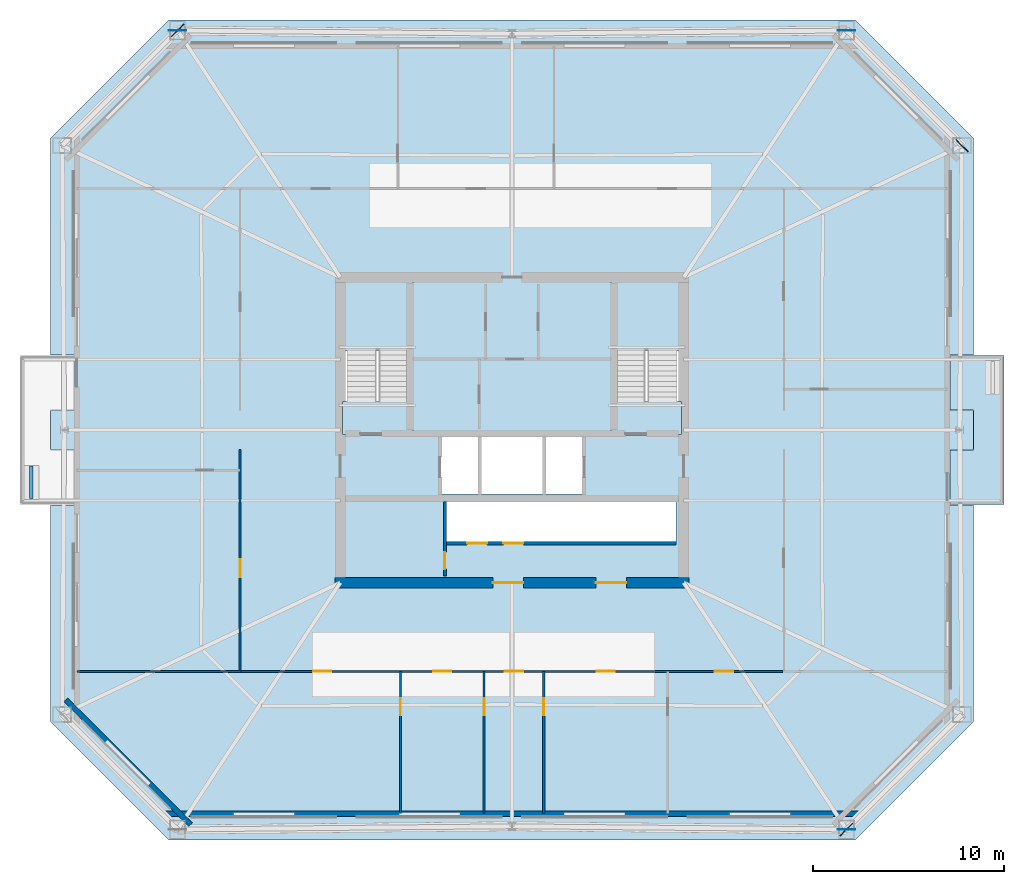
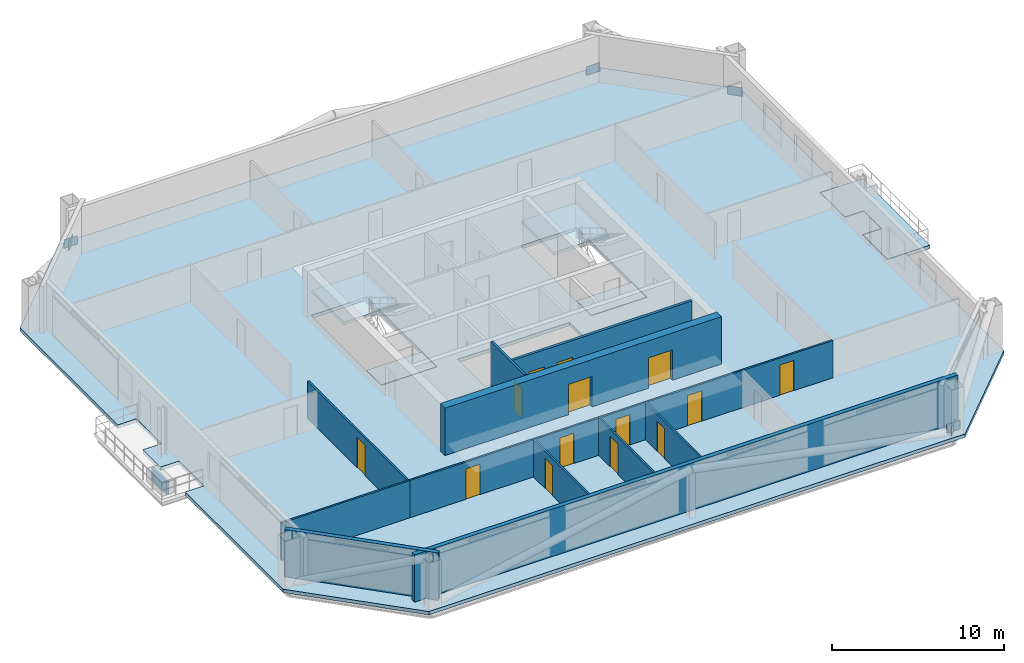
# One storey, part 2 of 8: 14 doors, 12 walls, 6 plates, 6 slabs, 14 openings, 2 elements without a shape of their own.
"""IFC4 building model written with IfcOpenShell, lengths in metres."""

from ifc_helpers import new_model, si_unit, direction, frame, frame_2d, origin, origin_2d, place, context, subcontext, project, spatial, polyline, rectangle, outline, extrude, material, layer, layer_set, type_object, element, fill, aggregate, save


model = new_model("IFC4")

# Units and contexts
model_context = context("Model", 3, precision=1e-05, world=origin(), true_north=direction((0.0, 1.0)))
body_context = subcontext(model_context, "Body", "Model", "MODEL_VIEW")
ifc_project = project(units=[si_unit("LENGTHUNIT", "METRE"), si_unit("AREAUNIT", "SQUARE_METRE"), si_unit("VOLUMEUNIT", "CUBIC_METRE"), si_unit("PLANEANGLEUNIT", "RADIAN"), si_unit("MASSUNIT", "GRAM", prefix="KILO")], contexts=[model_context])

# Site, building, storey
site_placement = place(None, origin())
site = spatial("IfcSite", under=ifc_project, at=site_placement, CompositionType="ELEMENT")
building_placement = place(site_placement, origin())
building = spatial("IfcBuilding", under=site, at=building_placement, Name="Caelvoria Tower", CompositionType="ELEMENT")
storey_placement = place(building_placement, frame((0.0, 0.0, 138.39990234375)))
storey = spatial("IfcBuildingStorey", under=building, at=storey_placement, Name="L36", CompositionType="ELEMENT", Elevation=138.39990234375)

# Plates
ifc_material_1 = material(Name="Structural Steel ASTM A572 Gr.50", Category="steel")
ifc_layer_1 = layer(ifc_material_1, 0.0400390625, Name="Structural Steel ASTM A572 Gr.50")
ifc_layer_set_1 = layer_set([ifc_layer_1], Name="Megaframe Node Gusset Plate 900x600x40 - Structural Steel ASTM A572 Gr.50")
plate_type = type_object("IfcPlateType", Name="Megaframe Node Gusset Plate 900x600x40", PredefinedType="USERDEFINED", material=ifc_layer_set_1)
for number, where, z_axis, x_axis, name in (
    (1, (63.537841796875, 11.052001953125, 0.02001953125), (0.0, 0.0, 1.0), (0.708328749832, 0.705882697168, 0.0), "Chamfer Mega Brace Gusset L36 SE"),
    (2, (69.59130859375, 46.915283203125, 0.02001953125), (0.0, 0.0, 1.0), (-0.708328749832, 0.705882697168, 0.0), "Chamfer Mega Brace Gusset L36 NE"),
    (3, (28.462158203125, 52.947998046875, 0.02001953125), (0.0, 0.0, 1.0), (-0.708328749832, -0.705882697168, 0.0), "Chamfer Mega Brace Gusset L36 NW"),
    (4, (63.537841796875, 11.052001953125, 0.050048828125), (0.0, 0.0, 1.0), (-0.999954177932, 0.009572984727, 0.0), "Megaframe Node Gusset Plate ND-01"),
    (5, (63.537841796875, 52.947998046875, 0.050048828125), (0.0, 0.0, 1.0), (-0.999954177932, -0.009572984727, 0.0), "Megaframe Node Gusset Plate ND-01"),
    (6, (28.462158203125, 52.947998046875, 0.050048828125), (0.0, 0.0, 1.0), (0.999954177932, -0.009572984727, 0.0), "Megaframe Node Gusset Plate ND-01"),
):
    element("IfcPlate", number, at=place(storey_placement, frame(where, z_axis=z_axis, x_axis=x_axis)), inside=storey, type_object=plate_type, Name=name, ObjectType="GUSSET_PLATE", PredefinedType="USERDEFINED", context=body_context, shape_type="SweptSolid", body=[
        extrude(rectangle(XDim=0.89990234375, YDim=0.0400390625, at=origin_2d()), origin(), (0.0, 0.0, 1.0), 0.60009765625),
    ])

# Stair, slabs
ifc_material_2 = material(Name="Concrete C40/50", Category="concrete")
stair_type = type_object("IfcStairType", Name="Core Smokeproof Dogleg Stair Concrete C40/50", PredefinedType="HALF_TURN_STAIR", material=ifc_material_2)
stair_1_placement = place(storey_placement, origin())
stair_1 = element("IfcStair", 7, at=stair_1_placement, inside=storey, type_object=stair_type, Name="ST-01 Smokeproof Exit Stair L36", PredefinedType="HALF_TURN_STAIR")
ifc_layer_2 = layer(ifc_material_2, 0.199951171875, Name="Concrete C40/50")
ifc_layer_set_2 = layer_set([ifc_layer_2], Name="Stair Half and Floor Landing Slab 200 Concrete C40/50 - Concrete C40/50")
slab_type_1 = type_object("IfcSlabType", Name="Stair Half and Floor Landing Slab 200 Concrete C40/50", PredefinedType="LANDING", material=ifc_layer_set_2)
slab_1_placement = place(storey_placement, frame((0.0, 0.0, -0.199951171875)))
slab_1 = element("IfcSlab", 8, at=slab_1_placement, type_object=slab_type_1, Name="ST-01 landing 1", PredefinedType="LANDING", context=body_context, shape_type="SweptSolid", body=[
    extrude(outline(polyline([(37.10009765625, 31.77001953125), (40.800048828125, 31.77001953125), (40.800048828125, 33.5), (37.10009765625, 33.5), (37.10009765625, 31.77001953125)])), origin(), (0.0, 0.0, 1.0), 0.199951171875),
])
slab_2_placement = place(storey_placement, frame((0.0, 0.0, 1.60009765625)))
slab_2 = element("IfcSlab", 9, at=slab_2_placement, type_object=slab_type_1, Name="ST-01 landing 2", PredefinedType="LANDING", context=body_context, shape_type="SweptSolid", body=[
    extrude(outline(polyline([(37.10009765625, 36.14990234375), (40.800048828125, 36.14990234375), (40.800048828125, 39.89990234375), (37.10009765625, 39.89990234375), (37.10009765625, 36.14990234375)])), origin(), (0.0, 0.0, 1.0), 0.199951171875),
])
aggregate(stair_1, [slab_1, slab_2])

stair_2_placement = place(storey_placement, origin())
stair_2 = element("IfcStair", 10, at=stair_2_placement, inside=storey, type_object=stair_type, Name="ST-02 Smokeproof Exit Stair L36", PredefinedType="HALF_TURN_STAIR")
slab_3_placement = place(storey_placement, frame((0.0, 0.0, -0.199951171875)))
slab_3 = element("IfcSlab", 11, at=slab_3_placement, type_object=slab_type_1, Name="ST-02 landing 1", PredefinedType="LANDING", context=body_context, shape_type="SweptSolid", body=[
    extrude(outline(polyline([(51.199951171875, 31.77001953125), (54.89990234375, 31.77001953125), (54.89990234375, 33.5), (51.199951171875, 33.5), (51.199951171875, 31.77001953125)])), origin(), (0.0, 0.0, 1.0), 0.199951171875),
])
slab_4_placement = place(storey_placement, frame((0.0, 0.0, 1.60009765625)))
slab_4 = element("IfcSlab", 12, at=slab_4_placement, type_object=slab_type_1, Name="ST-02 landing 2", PredefinedType="LANDING", context=body_context, shape_type="SweptSolid", body=[
    extrude(outline(polyline([(51.199951171875, 36.14990234375), (54.89990234375, 36.14990234375), (54.89990234375, 39.89990234375), (51.199951171875, 39.89990234375), (51.199951171875, 36.14990234375)])), origin(), (0.0, 0.0, 1.0), 0.199951171875),
])
aggregate(stair_2, [slab_3, slab_4])

# Slabs
ifc_layer_3 = layer(ifc_material_2, 0.239990234375, Name="Concrete C40/50")
ifc_layer_set_3 = layer_set([ifc_layer_3], Name="Tower Composite Office Slab 240 - Concrete C40/50")
slab_type_2 = type_object("IfcSlabType", Name="Tower Composite Office Slab 240", PredefinedType="FLOOR", material=ifc_layer_set_3)
slab_5_placement = place(storey_placement, frame((0.0, 0.0, -0.239990234375)))
element("IfcSlab", 13, at=slab_5_placement, inside=storey, type_object=slab_type_2, Name="Level L36 Structural Floor Slab", PredefinedType="FLOOR", context=body_context, shape_type="SweptSolid", body=[
    extrude(outline(polyline([(64.0, 53.5), (28.0, 53.5), (21.800048828125, 47.300048828125), (21.800048828125, 35.919921875), (23.06005859375, 35.919921875), (23.06005859375, 33.02001953125), (21.800048828125, 33.02001953125), (21.800048828125, 30.97998046875), (23.06005859375, 30.97998046875), (23.06005859375, 28.080078125), (21.800048828125, 28.080078125), (21.800048828125, 16.699951171875), (28.0, 10.5), (64.0, 10.5), (70.199951171875, 16.699951171875), (70.199951171875, 28.080078125), (68.93994140625, 28.080078125), (68.93994140625, 30.97998046875), (70.199951171875, 30.97998046875), (70.199951171875, 33.02001953125), (68.93994140625, 33.02001953125), (68.93994140625, 35.919921875), (70.199951171875, 35.919921875), (70.199951171875, 47.300048828125), (64.0, 53.5)]), holes=[polyline([(37.080078125, 31.75), (40.820068359375, 31.75), (40.820068359375, 39.919921875), (37.080078125, 39.919921875), (37.080078125, 31.75)]), polyline([(51.179931640625, 31.75), (54.919921875, 31.75), (54.919921875, 39.919921875), (51.179931640625, 39.919921875), (51.179931640625, 31.75)]), polyline([(42.25, 28.64990234375), (49.75, 28.64990234375), (49.75, 31.800048828125), (42.25, 31.800048828125), (42.25, 28.64990234375)]), polyline([(42.550048828125, 26.14990234375), (54.60009765625, 26.14990234375), (54.60009765625, 28.25), (42.550048828125, 28.25), (42.550048828125, 26.14990234375)])]), origin(), (0.0, 0.0, 1.0), 0.239990234375),
])
ifc_material_3 = material(Name="Concrete C45/55", Category="concrete")
ifc_layer_4 = layer(ifc_material_3, 0.25, Name="Concrete C45/55")
ifc_layer_set_4 = layer_set([ifc_layer_4], Name="Tree Balcony Structural Planter Slab 250 - Concrete C45/55")
slab_type_3 = type_object("IfcSlabType", Name="Tree Balcony Structural Planter Slab 250", PredefinedType="FLOOR", material=ifc_layer_set_4)
slab_6_placement = place(storey_placement, frame((0.0, 0.0, -0.25)))
element("IfcSlab", 14, at=slab_6_placement, inside=storey, type_object=slab_type_3, Name="Tree Balcony Slab TB-L36-E", PredefinedType="FLOOR", context=body_context, shape_type="SweptSolid", body=[
    extrude(outline(polyline([(70.199951171875, 35.89990234375), (68.9599609375, 35.89990234375), (68.9599609375, 33.0400390625), (70.199951171875, 33.0400390625), (70.199951171875, 30.9599609375), (68.9599609375, 30.9599609375), (68.9599609375, 28.10009765625), (70.199951171875, 28.10009765625), (71.800048828125, 28.10009765625), (71.800048828125, 35.89990234375), (70.199951171875, 35.89990234375)])), origin(), (0.0, 0.0, 1.0), 0.25),
])

# Wall
ifc_material_4 = material(Name="Bronze-Clad Concrete C40/50", Category="concrete")
ifc_layer_5 = layer(ifc_material_4, 0.179931640625, Name="Bronze-Clad Concrete C40/50")
ifc_layer_set_5 = layer_set([ifc_layer_5], Name="Architectural Planter Kerb Wall 180 - Bronze-Clad Concrete C40/50")
wall_type_1 = type_object("IfcWallType", Name="Architectural Planter Kerb Wall 180", PredefinedType="PARAPET", material=ifc_layer_set_5)
wall_1_placement = place(storey_placement, frame((20.800048828125, 28.39990234375, 0.0), z_axis=(0.0, 0.0, 1.0), x_axis=(0.0, 1.0, 0.0)))
element("IfcWall", 15, at=wall_1_placement, inside=storey, type_object=wall_type_1, Name="Tree Balcony Planter Kerb PLANTER TB-L36-W", PredefinedType="PARAPET", context=body_context, shape_type="SweptSolid", body=[
    extrude(rectangle(XDim=1.7001953125, YDim=0.179931640625, at=frame_2d((0.85009765625, 0.0))), origin(), (0.0, 0.0, 1.0), 0.880126953125),
])

# Wall, opening, door
ifc_material_5 = material(Name="Double Gypsum Board on Steel Stud", Category="steel")
ifc_layer_6 = layer(ifc_material_5, 0.14990234375, Name="Double Gypsum Board on Steel Stud")
ifc_layer_set_6 = layer_set([ifc_layer_6], Name="Core Service Acoustic Partition Wall 150 - Double Gypsum Board on Steel Stud")
wall_type_2 = type_object("IfcWallType", Name="Core Service Acoustic Partition Wall 150", PredefinedType="PARTITIONING", material=ifc_layer_set_6)
wall_2_placement = place(storey_placement, frame((42.47998046875, 24.35009765625, 0.0), z_axis=(0.0, 0.0, 1.0), x_axis=(0.0, 1.0, 0.0)))
wall_2 = element("IfcWall", 16, at=wall_2_placement, inside=storey, type_object=wall_type_2, Name="Interior Partition IW-L36-RECL1E", PredefinedType="PARTITIONING", context=body_context, shape_type="SweptSolid", body=[
    extrude(rectangle(XDim=3.89990234375, YDim=0.14990234375, at=frame_2d((1.949951171875, 0.0))), origin(), (0.0, 0.0, 1.0), 3.360107421875),
])
opening_1_placement = place(wall_2_placement, frame((0.35009765625, 0.0, 0.0)))
opening_1 = element("IfcOpeningElement", 17, at=opening_1_placement, cuts=wall_2, Name="Opening ID-04", PredefinedType="OPENING", context=body_context, shape_type="SweptSolid", body=[
    extrude(rectangle(XDim=0.89990234375, YDim=2.14990234375, at=frame_2d((0.449951171875, 1.074951171875))), frame((0.0, 0.0849609375, 0.0), z_axis=(0.0, -1.0, 0.0), x_axis=(1.0, 0.0, 0.0)), (0.0, 0.0, 1.0), 0.169921875),
])
ifc_material_6 = material(Name="Acoustic Timber Fire Door", Category="wood")
door_type_1 = type_object("IfcDoorType", Name="Fire Door FD30S 900x2150", OperationType="NOTDEFINED", PredefinedType="DOOR", material=ifc_material_6)
door_1_placement = place(opening_1_placement, origin())
door_1 = element("IfcDoor", 18, at=door_1_placement, inside=storey, type_object=door_type_1, Name="Interior Door DR-L36-RECL1", OperationType="SINGLE_SWING_LEFT", OverallHeight=2.14990234375, OverallWidth=0.89990234375, PredefinedType="DOOR", context=body_context, shape_type="SweptSolid", body=[
    extrude(rectangle(XDim=0.89990234375, YDim=2.14990234375, at=frame_2d((0.449951171875, 1.074951171875))), frame((0.0, 0.02490234375, 0.0), z_axis=(0.0, -1.0, 0.0), x_axis=(1.0, 0.0, 0.0)), (0.0, 0.0, 1.0), 0.050048828125),
])
fill(opening_1, door_1)

# Walls
ifc_material_7 = material(Name="Precast Concrete C40/50 with Bronze Cladding", Category="concrete")
ifc_layer_7 = layer(ifc_material_7, 0.280029296875, Name="Precast Concrete C40/50 with Bronze Cladding")
ifc_layer_set_7 = layer_set([ifc_layer_7], Name="Exterior Precast Concrete C40/50 Bronze-Clad Facade Wall 280 - Precast Concrete C40/50 with Bronze Cladding")
wall_type_3 = type_object("IfcWallType", Name="Exterior Precast Concrete C40/50 Bronze-Clad Facade Wall 280", PredefinedType="STANDARD", material=ifc_layer_set_7)
wall_3_placement = place(storey_placement, frame((27.760009765625, 11.8798828125, 0.0), z_axis=(0.0, 0.0, 1.0), x_axis=(1.0, 0.0, 0.0)))
element("IfcWall", 19, at=wall_3_placement, inside=storey, type_object=wall_type_3, Name="Exterior Facade Wall L36-E0", PredefinedType="STANDARD", context=body_context, shape_type="SweptSolid", body=[
    extrude(rectangle(XDim=36.47998046875, YDim=0.280029296875, at=frame_2d((18.239990234375, 0.0))), origin(), (0.0, 0.0, 1.0), 3.360107421875),
])
wall_4_placement = place(storey_placement, frame((22.606201171875, 17.845458984375, 0.0), z_axis=(0.0, 0.0, 1.0), x_axis=(0.707106781187, -0.707106781187, 0.0)))
element("IfcWall", 20, at=wall_4_placement, inside=storey, type_object=wall_type_3, Name="Exterior Facade Wall L36-E7", PredefinedType="STANDARD", context=body_context, shape_type="SweptSolid", body=[
    extrude(rectangle(XDim=9.248046875, YDim=0.280029296875, at=frame_2d((4.6240234375, 0.0))), origin(), (0.0, 0.0, 1.0), 3.360107421875),
])

# Wall, openings, doors
ifc_material_8 = material(Name="Concrete Block and Fireboard Assembly", Category="concrete")
ifc_layer_8 = layer(ifc_material_8, 0.179931640625, Name="Concrete Block and Fireboard Assembly")
ifc_layer_set_8 = layer_set([ifc_layer_8], Name="Fire-Rated Hoistway Partition Wall 180 - Concrete Block and Fireboard Assembly")
wall_type_4 = type_object("IfcWallType", Name="Fire-Rated Hoistway Partition Wall 180", PredefinedType="PARTITIONING", material=ifc_layer_set_8)
wall_5_placement = place(storey_placement, frame((42.550048828125, 26.050048828125, 0.0), z_axis=(0.0, 0.0, 1.0), x_axis=(1.0, 0.0, 0.0)))
wall_5 = element("IfcWall", 21, at=wall_5_placement, inside=storey, type_object=wall_type_4, Name="Interior Partition IW-L36-LFRONT", PredefinedType="PARTITIONING", context=body_context, shape_type="SweptSolid", body=[
    extrude(rectangle(XDim=12.050048828125, YDim=0.179931640625, at=frame_2d((6.02490234375, 0.0))), origin(), (0.0, 0.0, 1.0), 3.360107421875),
])
opening_2_placement = place(wall_5_placement, frame((1.10009765625, 0.0, 0.0)))
opening_2 = element("IfcOpeningElement", 22, at=opening_2_placement, cuts=wall_5, Name="Opening LD-01", PredefinedType="OPENING", context=body_context, shape_type="SweptSolid", body=[
    extrude(rectangle(XDim=1.050048828125, YDim=2.14990234375, at=frame_2d((0.52490234375, 1.074951171875))), frame((0.0, 0.099853515625, 0.0), z_axis=(0.0, -1.0, 0.0), x_axis=(1.0, 0.0, 0.0)), (0.0, 0.0, 1.0), 0.199951171875),
])
opening_3_placement = place(wall_5_placement, frame((3.0, 0.0, 0.0)))
opening_3 = element("IfcOpeningElement", 23, at=opening_3_placement, cuts=wall_5, Name="Opening LD-01", PredefinedType="OPENING", context=body_context, shape_type="SweptSolid", body=[
    extrude(rectangle(XDim=1.050048828125, YDim=2.14990234375, at=frame_2d((0.52490234375, 1.074951171875))), frame((0.0, 0.099853515625, 0.0), z_axis=(0.0, -1.0, 0.0), x_axis=(1.0, 0.0, 0.0)), (0.0, 0.0, 1.0), 0.199951171875),
])
ifc_material_9 = material(Name="Brushed Bronze Stainless Sliding Landing Door", Category="aluminium")
door_type_2 = type_object("IfcDoorType", Name="Lift Landing Sliding Door 1100x2150", OperationType="NOTDEFINED", PredefinedType="DOOR", material=ifc_material_9)
door_2_placement = place(opening_2_placement, origin())
door_2 = element("IfcDoor", 24, at=door_2_placement, inside=storey, type_object=door_type_2, Name="Interior Door LD-L36-PM1", OperationType="SLIDING_TO_LEFT", OverallHeight=2.14990234375, OverallWidth=1.050048828125, PredefinedType="DOOR", context=body_context, shape_type="SweptSolid", body=[
    extrude(rectangle(XDim=1.050048828125, YDim=2.14990234375, at=frame_2d((0.52490234375, 1.074951171875))), frame((0.0, 0.02490234375, 0.0), z_axis=(0.0, -1.0, 0.0), x_axis=(1.0, 0.0, 0.0)), (0.0, 0.0, 1.0), 0.050048828125),
])
fill(opening_2, door_2)
door_3_placement = place(opening_3_placement, origin())
door_3 = element("IfcDoor", 25, at=door_3_placement, inside=storey, type_object=door_type_2, Name="Interior Door LD-L36-PM2", OperationType="SLIDING_TO_RIGHT", OverallHeight=2.14990234375, OverallWidth=1.050048828125, PredefinedType="DOOR", context=body_context, shape_type="SweptSolid", body=[
    extrude(rectangle(XDim=1.050048828125, YDim=2.14990234375, at=frame_2d((0.52490234375, 1.074951171875))), frame((0.0, 0.02490234375, 0.0), z_axis=(0.0, -1.0, 0.0), x_axis=(1.0, 0.0, 0.0)), (0.0, 0.0, 1.0), 0.050048828125),
])
fill(opening_3, door_3)

ifc_material_10 = material(Name="Concrete C55/67", Category="concrete")
ifc_layer_9 = layer(ifc_material_10, 0.550048828125, Name="Concrete C55/67")
ifc_layer_set_9 = layer_set([ifc_layer_9], Name="Mid Core Shear Wall 550 - Concrete C55/67")
wall_type_5 = type_object("IfcWallType", Name="Mid Core Shear Wall 550", PredefinedType="SHEAR", material=ifc_layer_set_9)
wall_6_placement = place(storey_placement, frame((36.72509765625, 24.0, 0.0), z_axis=(0.0, 0.0, 1.0), x_axis=(1.0, 0.0, 0.0)))
wall_6 = element("IfcWall", 26, at=wall_6_placement, inside=storey, type_object=wall_type_5, Name="Core Shear Wall L36 S", PredefinedType="SHEAR", context=body_context, shape_type="SweptSolid", body=[
    extrude(rectangle(XDim=18.5498046875, YDim=0.550048828125, at=frame_2d((9.27490234375, 0.0))), origin(), (0.0, 0.0, 1.0), 3.360107421875),
])
opening_4_placement = place(wall_6_placement, frame((8.27490234375, 0.0, 0.0)))
opening_4 = element("IfcOpeningElement", 27, at=opening_4_placement, cuts=wall_6, Name="Opening ID-08", PredefinedType="OPENING", context=body_context, shape_type="SweptSolid", body=[
    extrude(rectangle(XDim=1.60009765625, YDim=2.14990234375, at=frame_2d((0.800048828125, 1.074951171875))), frame((0.0, 0.284912109375, 0.0), z_axis=(0.0, -1.0, 0.0), x_axis=(1.0, 0.0, 0.0)), (0.0, 0.0, 1.0), 0.570068359375),
])
opening_5_placement = place(wall_6_placement, frame((13.675048828125, 0.0, 0.0)))
opening_5 = element("IfcOpeningElement", 28, at=opening_5_placement, cuts=wall_6, Name="Opening ID-08", PredefinedType="OPENING", context=body_context, shape_type="SweptSolid", body=[
    extrude(rectangle(XDim=1.60009765625, YDim=2.14990234375, at=frame_2d((0.800048828125, 1.074951171875))), frame((0.0, 0.284912109375, 0.0), z_axis=(0.0, -1.0, 0.0), x_axis=(1.0, 0.0, 0.0)), (0.0, 0.0, 1.0), 0.570068359375),
])
ifc_material_11 = material(Name="Bronze-Framed Fire-Rated Glazed Double Door", Category="aluminium")
door_type_3 = type_object("IfcDoorType", Name="Double Lobby Glazed Door 1600x2200", OperationType="NOTDEFINED", PredefinedType="DOOR", material=ifc_material_11)
door_4_placement = place(opening_4_placement, origin())
door_4 = element("IfcDoor", 29, at=door_4_placement, inside=storey, type_object=door_type_3, Name="Core Door DR-L36-LLOB-S1", OperationType="DOUBLE_DOOR_SINGLE_SWING", OverallHeight=2.14990234375, OverallWidth=1.60009765625, PredefinedType="DOOR", context=body_context, shape_type="SweptSolid", body=[
    extrude(rectangle(XDim=1.60009765625, YDim=2.14990234375, at=frame_2d((0.800048828125, 1.074951171875))), frame((0.0, 0.02490234375, 0.0), z_axis=(0.0, -1.0, 0.0), x_axis=(1.0, 0.0, 0.0)), (0.0, 0.0, 1.0), 0.050048828125),
])
fill(opening_4, door_4)
door_5_placement = place(opening_5_placement, origin())
door_5 = element("IfcDoor", 30, at=door_5_placement, inside=storey, type_object=door_type_3, Name="Core Door DR-L36-LLOB-S2", OperationType="DOUBLE_DOOR_SINGLE_SWING", OverallHeight=2.14990234375, OverallWidth=1.60009765625, PredefinedType="DOOR", context=body_context, shape_type="SweptSolid", body=[
    extrude(rectangle(XDim=1.60009765625, YDim=2.14990234375, at=frame_2d((0.800048828125, 1.074951171875))), frame((0.0, 0.02490234375, 0.0), z_axis=(0.0, -1.0, 0.0), x_axis=(1.0, 0.0, 0.0)), (0.0, 0.0, 1.0), 0.050048828125),
])
fill(opening_5, door_5)

# Wall, opening, door
ifc_material_12 = material(Name="Acoustic Gypsum Board on Light-Gauge Stud", Category="gypsum")
ifc_layer_10 = layer(ifc_material_12, 0.1201171875, Name="Acoustic Gypsum Board on Light-Gauge Stud")
ifc_layer_set_10 = layer_set([ifc_layer_10], Name="Tenant Suite Acoustic Partition Wall 120 - Acoustic Gypsum Board on Light-Gauge Stud")
wall_type_6 = type_object("IfcWallType", Name="Tenant Suite Acoustic Partition Wall 120", PredefinedType="PARTITIONING", material=ifc_layer_set_10)
wall_7_placement = place(storey_placement, frame((40.15234375, 19.340087890625, 0.0), z_axis=(0.0, 0.0, 1.0), x_axis=(0.0, -1.0, 0.0)))
wall_7 = element("IfcWall", 31, at=wall_7_placement, inside=storey, type_object=wall_type_6, Name="Interior Partition IW-L36-SD-00-0", PredefinedType="PARTITIONING", context=body_context, shape_type="SweptSolid", body=[
    extrude(rectangle(XDim=7.460205078125, YDim=0.1201171875, at=frame_2d((3.72998046875, 0.0))), origin(), (0.0, 0.0, 1.0), 2.64013671875),
])
opening_6_placement = place(wall_7_placement, frame((1.39990234375, 0.0, 0.0)))
opening_6 = element("IfcOpeningElement", 32, at=opening_6_placement, cuts=wall_7, Name="Opening ID-06", PredefinedType="OPENING", context=body_context, shape_type="SweptSolid", body=[
    extrude(rectangle(XDim=0.89990234375, YDim=2.14990234375, at=frame_2d((0.449951171875, 1.074951171875))), frame((0.0, 0.070068359375, 0.0), z_axis=(0.0, -1.0, 0.0), x_axis=(1.0, 0.0, 0.0)), (0.0, 0.0, 1.0), 0.14013671875),
])
ifc_material_13 = material(Name="Engineered Andean Oak Veneer Door", Category="wood")
door_type_4 = type_object("IfcDoorType", Name="Interior Timber Door 900x2150", OperationType="NOTDEFINED", PredefinedType="DOOR", material=ifc_material_13)
door_6_placement = place(opening_6_placement, origin())
door_6 = element("IfcDoor", 33, at=door_6_placement, inside=storey, type_object=door_type_4, Name="Interior Door DR-L36-SM-00-0", OperationType="SINGLE_SWING_RIGHT", OverallHeight=2.14990234375, OverallWidth=0.89990234375, PredefinedType="DOOR", context=body_context, shape_type="SweptSolid", body=[
    extrude(rectangle(XDim=0.89990234375, YDim=2.14990234375, at=frame_2d((0.449951171875, 1.074951171875))), frame((0.0, 0.02490234375, 0.0), z_axis=(0.0, -1.0, 0.0), x_axis=(1.0, 0.0, 0.0)), (0.0, 0.0, 1.0), 0.050048828125),
])
fill(opening_6, door_6)

wall_8_placement = place(storey_placement, frame((44.534423828125, 19.340087890625, 0.0), z_axis=(0.0, 0.0, 1.0), x_axis=(0.0, -1.0, 0.0)))
wall_8 = element("IfcWall", 34, at=wall_8_placement, inside=storey, type_object=wall_type_6, Name="Interior Partition IW-L36-SD-01-0", PredefinedType="PARTITIONING", context=body_context, shape_type="SweptSolid", body=[
    extrude(rectangle(XDim=7.460205078125, YDim=0.1201171875, at=frame_2d((3.72998046875, 0.0))), origin(), (0.0, 0.0, 1.0), 2.64013671875),
])
opening_7_placement = place(wall_8_placement, frame((1.39990234375, 0.0, 0.0)))
opening_7 = element("IfcOpeningElement", 35, at=opening_7_placement, cuts=wall_8, Name="Opening ID-06", PredefinedType="OPENING", context=body_context, shape_type="SweptSolid", body=[
    extrude(rectangle(XDim=0.89990234375, YDim=2.14990234375, at=frame_2d((0.449951171875, 1.074951171875))), frame((0.0, 0.070068359375, 0.0), z_axis=(0.0, -1.0, 0.0), x_axis=(1.0, 0.0, 0.0)), (0.0, 0.0, 1.0), 0.14013671875),
])
door_7_placement = place(opening_7_placement, origin())
door_7 = element("IfcDoor", 36, at=door_7_placement, inside=storey, type_object=door_type_4, Name="Interior Door DR-L36-SM-01-0", OperationType="SINGLE_SWING_LEFT", OverallHeight=2.14990234375, OverallWidth=0.89990234375, PredefinedType="DOOR", context=body_context, shape_type="SweptSolid", body=[
    extrude(rectangle(XDim=0.89990234375, YDim=2.14990234375, at=frame_2d((0.449951171875, 1.074951171875))), frame((0.0, 0.02490234375, 0.0), z_axis=(0.0, -1.0, 0.0), x_axis=(1.0, 0.0, 0.0)), (0.0, 0.0, 1.0), 0.050048828125),
])
fill(opening_7, door_7)

wall_9_placement = place(storey_placement, frame((47.6708984375, 19.340087890625, 0.0), z_axis=(0.0, 0.0, 1.0), x_axis=(0.0, -1.0, 0.0)))
wall_9 = element("IfcWall", 37, at=wall_9_placement, inside=storey, type_object=wall_type_6, Name="Interior Partition IW-L36-SD-02-0", PredefinedType="PARTITIONING", context=body_context, shape_type="SweptSolid", body=[
    extrude(rectangle(XDim=7.460205078125, YDim=0.1201171875, at=frame_2d((3.72998046875, 0.0))), origin(), (0.0, 0.0, 1.0), 2.64013671875),
])
opening_8_placement = place(wall_9_placement, frame((1.39990234375, 0.0, 0.0)))
opening_8 = element("IfcOpeningElement", 38, at=opening_8_placement, cuts=wall_9, Name="Opening ID-06", PredefinedType="OPENING", context=body_context, shape_type="SweptSolid", body=[
    extrude(rectangle(XDim=0.89990234375, YDim=2.14990234375, at=frame_2d((0.449951171875, 1.074951171875))), frame((0.0, 0.070068359375, 0.0), z_axis=(0.0, -1.0, 0.0), x_axis=(1.0, 0.0, 0.0)), (0.0, 0.0, 1.0), 0.14013671875),
])
door_8_placement = place(opening_8_placement, origin())
door_8 = element("IfcDoor", 39, at=door_8_placement, inside=storey, type_object=door_type_4, Name="Interior Door DR-L36-SM-02-0", OperationType="SINGLE_SWING_RIGHT", OverallHeight=2.14990234375, OverallWidth=0.89990234375, PredefinedType="DOOR", context=body_context, shape_type="SweptSolid", body=[
    extrude(rectangle(XDim=0.89990234375, YDim=2.14990234375, at=frame_2d((0.449951171875, 1.074951171875))), frame((0.0, 0.02490234375, 0.0), z_axis=(0.0, -1.0, 0.0), x_axis=(1.0, 0.0, 0.0)), (0.0, 0.0, 1.0), 0.050048828125),
])
fill(opening_8, door_8)

# Wall, openings, doors
wall_10_placement = place(storey_placement, frame((31.800048828125, 19.340087890625, 0.0), z_axis=(0.0, 0.0, 1.0), x_axis=(1.0, 0.0, 0.0)))
wall_10 = element("IfcWall", 40, at=wall_10_placement, inside=storey, type_object=wall_type_6, Name="Interior Partition IW-L36-SCW-0", PredefinedType="PARTITIONING", context=body_context, shape_type="SweptSolid", body=[
    extrude(rectangle(XDim=28.39990234375, YDim=0.1201171875, at=frame_2d((14.199951171875, 0.0))), origin(), (0.0, 0.0, 1.0), 2.64013671875),
])
opening_9_placement = place(wall_10_placement, frame((3.771240234375, 0.0, 0.0)))
opening_9 = element("IfcOpeningElement", 41, at=opening_9_placement, cuts=wall_10, Name="Opening ID-05", PredefinedType="OPENING", context=body_context, shape_type="SweptSolid", body=[
    extrude(rectangle(XDim=0.949951171875, YDim=2.14990234375, at=frame_2d((0.47509765625, 1.074951171875))), frame((0.0, 0.070068359375, 0.0), z_axis=(0.0, -1.0, 0.0), x_axis=(1.0, 0.0, 0.0)), (0.0, 0.0, 1.0), 0.14013671875),
])
opening_10_placement = place(wall_10_placement, frame((10.068359375, 0.0, 0.0)))
opening_10 = element("IfcOpeningElement", 42, at=opening_10_placement, cuts=wall_10, Name="Opening ID-05", PredefinedType="OPENING", context=body_context, shape_type="SweptSolid", body=[
    extrude(rectangle(XDim=0.949951171875, YDim=2.14990234375, at=frame_2d((0.47509765625, 1.074951171875))), frame((0.0, 0.070068359375, 0.0), z_axis=(0.0, -1.0, 0.0), x_axis=(1.0, 0.0, 0.0)), (0.0, 0.0, 1.0), 0.14013671875),
])
opening_11_placement = place(wall_10_placement, frame((13.82763671875, 0.0, 0.0)))
opening_11 = element("IfcOpeningElement", 43, at=opening_11_placement, cuts=wall_10, Name="Opening ID-05", PredefinedType="OPENING", context=body_context, shape_type="SweptSolid", body=[
    extrude(rectangle(XDim=0.949951171875, YDim=2.14990234375, at=frame_2d((0.47509765625, 1.074951171875))), frame((0.0, 0.070068359375, 0.0), z_axis=(0.0, -1.0, 0.0), x_axis=(1.0, 0.0, 0.0)), (0.0, 0.0, 1.0), 0.14013671875),
])
opening_12_placement = place(wall_10_placement, frame((18.647705078125, 0.0, 0.0)))
opening_12 = element("IfcOpeningElement", 44, at=opening_12_placement, cuts=wall_10, Name="Opening ID-05", PredefinedType="OPENING", context=body_context, shape_type="SweptSolid", body=[
    extrude(rectangle(XDim=0.949951171875, YDim=2.14990234375, at=frame_2d((0.47509765625, 1.074951171875))), frame((0.0, 0.070068359375, 0.0), z_axis=(0.0, -1.0, 0.0), x_axis=(1.0, 0.0, 0.0)), (0.0, 0.0, 1.0), 0.14013671875),
])
opening_13_placement = place(wall_10_placement, frame((24.84228515625, 0.0, 0.0)))
opening_13 = element("IfcOpeningElement", 45, at=opening_13_placement, cuts=wall_10, Name="Opening ID-05", PredefinedType="OPENING", context=body_context, shape_type="SweptSolid", body=[
    extrude(rectangle(XDim=0.949951171875, YDim=2.14990234375, at=frame_2d((0.47509765625, 1.074951171875))), frame((0.0, 0.070068359375, 0.0), z_axis=(0.0, -1.0, 0.0), x_axis=(1.0, 0.0, 0.0)), (0.0, 0.0, 1.0), 0.14013671875),
])
door_type_5 = type_object("IfcDoorType", Name="Interior Timber Door 950x2150", OperationType="NOTDEFINED", PredefinedType="DOOR", material=ifc_material_13)
door_9_placement = place(opening_9_placement, origin())
door_9 = element("IfcDoor", 46, at=door_9_placement, inside=storey, type_object=door_type_5, Name="Interior Door DR-L36-SC-00-0", OperationType="SINGLE_SWING_LEFT", OverallHeight=2.14990234375, OverallWidth=0.949951171875, PredefinedType="DOOR", context=body_context, shape_type="SweptSolid", body=[
    extrude(rectangle(XDim=0.949951171875, YDim=2.14990234375, at=frame_2d((0.47509765625, 1.074951171875))), frame((0.0, 0.02490234375, 0.0), z_axis=(0.0, -1.0, 0.0), x_axis=(1.0, 0.0, 0.0)), (0.0, 0.0, 1.0), 0.050048828125),
])
fill(opening_9, door_9)
door_10_placement = place(opening_10_placement, origin())
door_10 = element("IfcDoor", 47, at=door_10_placement, inside=storey, type_object=door_type_5, Name="Interior Door DR-L36-SC-01-0", OperationType="SINGLE_SWING_RIGHT", OverallHeight=2.14990234375, OverallWidth=0.949951171875, PredefinedType="DOOR", context=body_context, shape_type="SweptSolid", body=[
    extrude(rectangle(XDim=0.949951171875, YDim=2.14990234375, at=frame_2d((0.47509765625, 1.074951171875))), frame((0.0, 0.02490234375, 0.0), z_axis=(0.0, -1.0, 0.0), x_axis=(1.0, 0.0, 0.0)), (0.0, 0.0, 1.0), 0.050048828125),
])
fill(opening_10, door_10)
door_11_placement = place(opening_11_placement, origin())
door_11 = element("IfcDoor", 48, at=door_11_placement, inside=storey, type_object=door_type_5, Name="Interior Door DR-L36-SC-02-0", OperationType="SINGLE_SWING_LEFT", OverallHeight=2.14990234375, OverallWidth=0.949951171875, PredefinedType="DOOR", context=body_context, shape_type="SweptSolid", body=[
    extrude(rectangle(XDim=0.949951171875, YDim=2.14990234375, at=frame_2d((0.47509765625, 1.074951171875))), frame((0.0, 0.02490234375, 0.0), z_axis=(0.0, -1.0, 0.0), x_axis=(1.0, 0.0, 0.0)), (0.0, 0.0, 1.0), 0.050048828125),
])
fill(opening_11, door_11)
door_12_placement = place(opening_12_placement, origin())
door_12 = element("IfcDoor", 49, at=door_12_placement, inside=storey, type_object=door_type_5, Name="Interior Door DR-L36-SC-03-0", OperationType="SINGLE_SWING_RIGHT", OverallHeight=2.14990234375, OverallWidth=0.949951171875, PredefinedType="DOOR", context=body_context, shape_type="SweptSolid", body=[
    extrude(rectangle(XDim=0.949951171875, YDim=2.14990234375, at=frame_2d((0.47509765625, 1.074951171875))), frame((0.0, 0.02490234375, 0.0), z_axis=(0.0, -1.0, 0.0), x_axis=(1.0, 0.0, 0.0)), (0.0, 0.0, 1.0), 0.050048828125),
])
fill(opening_12, door_12)
door_13_placement = place(opening_13_placement, origin())
door_13 = element("IfcDoor", 50, at=door_13_placement, inside=storey, type_object=door_type_5, Name="Interior Door DR-L36-SC-04-0", OperationType="SINGLE_SWING_LEFT", OverallHeight=2.14990234375, OverallWidth=0.949951171875, PredefinedType="DOOR", context=body_context, shape_type="SweptSolid", body=[
    extrude(rectangle(XDim=0.949951171875, YDim=2.14990234375, at=frame_2d((0.47509765625, 1.074951171875))), frame((0.0, 0.02490234375, 0.0), z_axis=(0.0, -1.0, 0.0), x_axis=(1.0, 0.0, 0.0)), (0.0, 0.0, 1.0), 0.050048828125),
])
fill(opening_13, door_13)

# Wall, opening, door
wall_11_placement = place(storey_placement, frame((31.739990234375, 19.39990234375, 0.0), z_axis=(0.0, 0.0, 1.0), x_axis=(0.0, 1.0, 0.0)))
wall_11 = element("IfcWall", 51, at=wall_11_placement, inside=storey, type_object=wall_type_6, Name="Interior Partition IW-L36-WCW-0", PredefinedType="PARTITIONING", context=body_context, shape_type="SweptSolid", body=[
    extrude(rectangle(XDim=11.580078125, YDim=0.1201171875, at=frame_2d((5.7900390625, 0.0))), origin(), (0.0, 0.0, 1.0), 2.64013671875),
])
opening_14_placement = place(wall_11_placement, frame((4.868408203125, 0.0, 0.0)))
opening_14 = element("IfcOpeningElement", 52, at=opening_14_placement, cuts=wall_11, Name="Opening ID-05", PredefinedType="OPENING", context=body_context, shape_type="SweptSolid", body=[
    extrude(rectangle(XDim=0.949951171875, YDim=2.14990234375, at=frame_2d((0.47509765625, 1.074951171875))), frame((0.0, 0.070068359375, 0.0), z_axis=(0.0, -1.0, 0.0), x_axis=(1.0, 0.0, 0.0)), (0.0, 0.0, 1.0), 0.14013671875),
])
door_14_placement = place(opening_14_placement, origin())
door_14 = element("IfcDoor", 53, at=door_14_placement, inside=storey, type_object=door_type_5, Name="Interior Door DR-L36-WC-00-0", OperationType="SINGLE_SWING_LEFT", OverallHeight=2.14990234375, OverallWidth=0.949951171875, PredefinedType="DOOR", context=body_context, shape_type="SweptSolid", body=[
    extrude(rectangle(XDim=0.949951171875, YDim=2.14990234375, at=frame_2d((0.47509765625, 1.074951171875))), frame((0.0, 0.02490234375, 0.0), z_axis=(0.0, -1.0, 0.0), x_axis=(1.0, 0.0, 0.0)), (0.0, 0.0, 1.0), 0.050048828125),
])
fill(opening_14, door_14)

# Wall
wall_12_placement = place(storey_placement, frame((31.800048828125, 19.340087890625, 0.0), z_axis=(0.0, 0.0, 1.0), x_axis=(-1.0, 0.0, 0.0)))
element("IfcWall", 54, at=wall_12_placement, inside=storey, type_object=wall_type_6, Name="Interior Partition IW-L36-BSW-0", PredefinedType="PARTITIONING", context=body_context, shape_type="SweptSolid", body=[
    extrude(rectangle(XDim=8.6201171875, YDim=0.1201171875, at=frame_2d((4.31005859375, 0.0))), origin(), (0.0, 0.0, 1.0), 2.64013671875),
])

save(model, "model.ifc")
